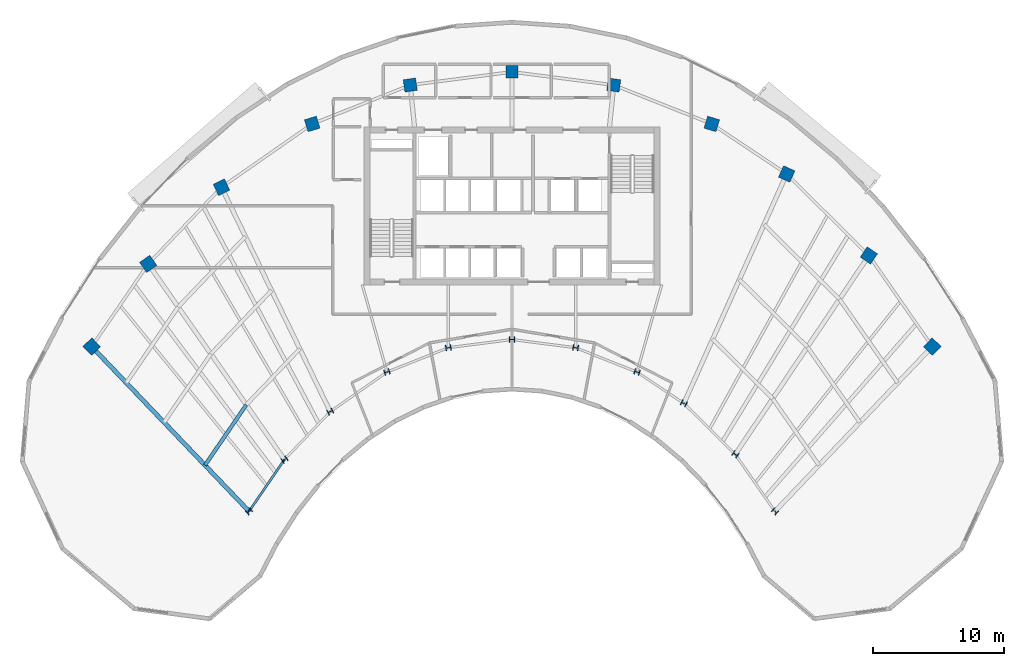
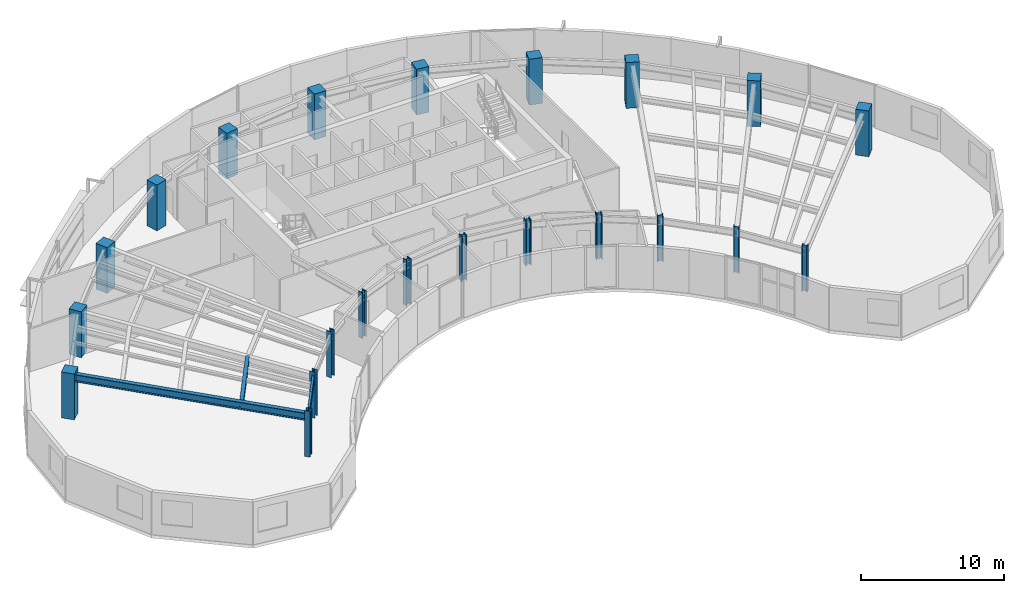
# One storey, part 1 of 13: 22 columns, 3 beams.
"""IFC4 building model written with IfcOpenShell, lengths in metres."""

from ifc_helpers import new_model, si_unit, direction, frame, origin, origin_2d, place, context, subcontext, project, spatial, rectangle, i_section, extrude, source, transform, mapped, material, material_profile, profile_set, type_object, type_shapes, element, save


model = new_model("IFC4")

# Units and contexts
model_context = context("Model", 3, precision=1e-05, world=origin(), true_north=direction((0.0, 1.0)))
body_context = subcontext(model_context, "Body", "Model", "MODEL_VIEW")
ifc_project = project(units=[si_unit("LENGTHUNIT", "METRE"), si_unit("AREAUNIT", "SQUARE_METRE"), si_unit("VOLUMEUNIT", "CUBIC_METRE"), si_unit("PLANEANGLEUNIT", "RADIAN"), si_unit("MASSUNIT", "GRAM", prefix="KILO")], contexts=[model_context])

# Site, building, storey
site_placement = place(None, origin())
site = spatial("IfcSite", under=ifc_project, at=site_placement, CompositionType="ELEMENT")
building_placement = place(site_placement, origin())
building = spatial("IfcBuilding", under=site, at=building_placement, Name="Breltana Convention Tower", CompositionType="ELEMENT")
storey_placement = place(building_placement, frame((0.0, 0.0, 204.0)))
storey = spatial("IfcBuildingStorey", under=building, at=storey_placement, Name="L49", CompositionType="ELEMENT", Elevation=204.0)

# Columns
ifc_material_1 = material(Name="Steel ASTM A992 Grade 50", Category="steel")
ifc_material_profile_1 = material_profile(ifc_material_1, i_section(OverallWidth=0.406005859375, OverallDepth=0.416015625, WebThickness=0.02978515625, FlangeThickness=0.048095703125, at=origin_2d()), Name="W14X257")
ifc_profile_set_1 = profile_set([ifc_material_profile_1], Name="Steel ASTM A992 Grade 50")
column_type_1 = type_object("IfcColumnType", Name="COL-STL-W14X257", PredefinedType="COLUMN", material=ifc_profile_set_1)
shared_shape_1 = source(origin(), body_context, "Body", "SweptSolid", [
    extrude(i_section(OverallWidth=0.406005859375, OverallDepth=0.416015625, WebThickness=0.02978515625, FlangeThickness=0.048095703125, at=origin_2d()), origin(), (0.0, 0.0, 1.0), 3.89990234375),
])
for number, where, z_axis, x_axis, name in (
    (1, (27.984619140625, 42.95458984375, 0.0), (0.0, 0.0, 1.0), (-0.690756218984, 0.723087716626, 0.0), "L49 Tower Column R01-IN"),
    (2, (30.67724609375, 46.892333984375, 0.0), (0.0, 0.0, 1.0), (-0.571143442153, 0.820850271661, 0.0), "L49 Tower Column R02-IN"),
    (3, (34.166259765625, 50.544921875, 0.0), (0.0, 0.0, 1.0), (-0.436173672171, 0.899862504889, 0.0), "L49 Tower Column R03-IN"),
    (4, (38.485107421875, 53.5576171875, 0.0), (0.0, 0.0, 1.0), (-0.288697611798, 0.957420330337, 0.0), "L49 Tower Column R04-IN"),
    (5, (43.153564453125, 55.41064453125, 0.0), (0.0, 0.0, 1.0), (-0.143492621991, 0.98965138682, 0.0), "L49 Tower Column R05-IN"),
    (6, (48.0, 56.035888671875, 0.0), (0.0, 0.0, 1.0), (0.0, 1.0, 0.0), "L49 Tower Column R06-IN"),
    (7, (52.846435546875, 55.41064453125, 0.0), (0.0, 0.0, 1.0), (0.143492621991, 0.98965138682, 0.0), "L49 Tower Column R07-IN"),
    (8, (57.514892578125, 53.5576171875, 0.0), (0.0, 0.0, 1.0), (0.288697611798, 0.957420330337, 0.0), "L49 Tower Column R08-IN"),
    (9, (61.08203125, 51.174560546875, 0.0), (0.0, 0.0, 1.0), (0.409126902895, 0.912477494148, 0.0), "L49 Tower Column R09-IN"),
    (10, (64.995849609375, 47.293701171875, 0.0), (0.0, 0.0, 1.0), (0.55774510898, 0.830012285095, 0.0), "L49 Tower Column R10-IN"),
    (11, (68.015380859375, 42.95458984375, 0.0), (0.0, 0.0, 1.0), (0.690756218984, 0.723087716626, 0.0), "L49 Tower Column R11-IN"),
):
    element("IfcColumn", number, at=place(storey_placement, frame(where, z_axis=z_axis, x_axis=x_axis)), inside=storey, type_object=column_type_1, Name=name, PredefinedType="COLUMN", context=body_context, shape_type="MappedRepresentation", body=[
        mapped(shared_shape_1, transform((0.0, 0.0, 0.0), scale=1.0)),
    ])
ifc_material_2 = material(Name="Concrete C50/60", Category="concrete")
ifc_material_profile_2 = material_profile(ifc_material_2, rectangle(XDim=0.949951171875, YDim=0.949951171875, at=origin_2d()), Name="RC-COL-950X950")
ifc_profile_set_2 = profile_set([ifc_material_profile_2], Name="Concrete C50/60")
column_type_2 = type_object("IfcColumnType", Name="COL-RC-950", PredefinedType="COLUMN", material=ifc_profile_set_2)
shared_shape_2 = source(origin(), body_context, "Body", "SweptSolid", [
    extrude(rectangle(XDim=0.949951171875, YDim=0.949951171875, at=origin_2d()), origin(), (0.0, 0.0, 1.0), 3.89990234375),
])
for number, where, z_axis, x_axis, name in (
    (12, (16.0068359375, 55.494384765625, 0.0), (0.0, 0.0, 1.0), (-0.690756218984, 0.723087716626, 0.0), "L49 Tower Column R01-OUT"),
    (13, (20.310791015625, 61.78857421875, 0.0), (0.0, 0.0, 1.0), (-0.571143442153, 0.820850271661, 0.0), "L49 Tower Column R02-OUT"),
    (14, (25.8876953125, 67.626953125, 0.0), (0.0, 0.0, 1.0), (-0.436173672171, 0.899862504889, 0.0), "L49 Tower Column R03-OUT"),
    (15, (32.791015625, 72.4423828125, 0.0), (0.0, 0.0, 1.0), (-0.288697611798, 0.957420330337, 0.0), "L49 Tower Column R04-OUT"),
    (16, (40.253173828125, 75.404296875, 0.0), (0.0, 0.0, 1.0), (-0.143492621991, 0.98965138682, 0.0), "L49 Tower Column R05-OUT"),
    (17, (48.0, 76.404052734375, 0.0), (0.0, 0.0, 1.0), (0.0, 1.0, 0.0), "L49 Tower Column R06-OUT"),
    (18, (55.746826171875, 75.404296875, 0.0), (0.0, 0.0, 1.0), (0.143492621991, 0.98965138682, 0.0), "L49 Tower Column R07-OUT"),
    (19, (63.208984375, 72.4423828125, 0.0), (0.0, 0.0, 1.0), (0.288697611798, 0.957420330337, 0.0), "L49 Tower Column R08-OUT"),
    (20, (68.910400390625, 68.63330078125, 0.0), (0.0, 0.0, 1.0), (0.409126902895, 0.912477494148, 0.0), "L49 Tower Column R09-OUT"),
    (21, (75.166748046875, 62.43017578125, 0.0), (0.0, 0.0, 1.0), (0.55774510898, 0.830012285095, 0.0), "L49 Tower Column R10-OUT"),
    (22, (79.9931640625, 55.494384765625, 0.0), (0.0, 0.0, 1.0), (0.690756218984, 0.723087716626, 0.0), "L49 Tower Column R11-OUT"),
):
    element("IfcColumn", number, at=place(storey_placement, frame(where, z_axis=z_axis, x_axis=x_axis)), inside=storey, type_object=column_type_2, Name=name, PredefinedType="COLUMN", context=body_context, shape_type="MappedRepresentation", body=[
        mapped(shared_shape_2, transform((0.0, 0.0, 0.0), scale=1.0)),
    ])

# Beams
ifc_material_profile_3 = material_profile(ifc_material_1, i_section(OverallWidth=0.280029296875, OverallDepth=0.462890625, WebThickness=0.0107421875, FlangeThickness=0.017333984375, at=origin_2d()), Name="W18X76")
ifc_profile_set_3 = profile_set([ifc_material_profile_3], Name="Steel ASTM A992 Grade 50")
beam_type_1 = type_object("IfcBeamType", Name="BM-JSG-06", PredefinedType="JOIST", material=ifc_profile_set_3)
shared_shape_3 = source(origin(), body_context, "Body", "SweptSolid", [
    extrude(i_section(OverallWidth=0.280029296875, OverallDepth=0.462890625, WebThickness=0.0107421875, FlangeThickness=0.017333984375, at=origin_2d()), origin(), (0.0, 0.0, 1.0), 5.569580078125),
])
type_shapes(beam_type_1, [shared_shape_3])
beam_1_placement = place(storey_placement, frame((24.630615234375, 46.4658203125, 3.408447265625), z_axis=(0.564493760458, 0.825437335237, 0.0), x_axis=(-0.825437335237, 0.564493760458, 0.0)))
element("IfcBeam", 23, at=beam_1_placement, inside=storey, type_object=beam_type_1, Name="L49 Composite Floor Joist 01.1", PredefinedType="JOIST", context=body_context, shape_type="MappedRepresentation", body=[
    mapped(shared_shape_3, transform((0.0, 0.0, 0.0), scale=1.0)),
])
ifc_material_profile_4 = material_profile(ifc_material_1, i_section(OverallWidth=0.166015625, OverallDepth=0.534912109375, WebThickness=0.01025390625, FlangeThickness=0.0166015625, at=origin_2d()), Name="W21X57")
ifc_profile_set_4 = profile_set([ifc_material_profile_4], Name="Steel ASTM A992 Grade 50")
beam_type_2 = type_object("IfcBeamType", Name="BM-BM-W21X57", PredefinedType="BEAM", material=ifc_profile_set_4)
shared_shape_4 = source(origin(), body_context, "Body", "SweptSolid", [
    extrude(i_section(OverallWidth=0.166015625, OverallDepth=0.534912109375, WebThickness=0.01025390625, FlangeThickness=0.0166015625, at=origin_2d()), origin(), (0.0, 0.0, 1.0), 4.770263671875),
])
beam_2_placement = place(storey_placement, frame((27.984619140625, 42.95458984375, 3.37255859375), z_axis=(0.564452719055, 0.82546540082, 0.0), x_axis=(-0.82546540082, 0.564452719055, 0.0)))
element("IfcBeam", 24, at=beam_2_placement, inside=storey, type_object=beam_type_2, Name="L49 Inner Ring Beam 01", PredefinedType="BEAM", context=body_context, shape_type="MappedRepresentation", body=[
    mapped(shared_shape_4, transform((0.0, 0.0, 0.0), scale=1.0)),
])
ifc_material_profile_5 = material_profile(ifc_material_1, i_section(OverallWidth=0.326904296875, OverallDepth=0.6220703125, WebThickness=0.015380859375, FlangeThickness=0.0244140625, at=origin_2d()), Name="W24X131")
ifc_profile_set_5 = profile_set([ifc_material_profile_5], Name="Steel ASTM A992 Grade 50")
beam_type_3 = type_object("IfcBeamType", Name="BM-RG-W24X131", PredefinedType="USERDEFINED", material=ifc_profile_set_5)
shared_shape_5 = source(origin(), body_context, "Body", "SweptSolid", [
    extrude(i_section(OverallWidth=0.326904296875, OverallDepth=0.6220703125, WebThickness=0.015380859375, FlangeThickness=0.0244140625, at=origin_2d()), origin(), (0.0, 0.0, 1.0), 17.341064453125),
])
type_shapes(beam_type_3, [shared_shape_5])
beam_3_placement = place(storey_placement, frame((27.984619140625, 42.95458984375, 3.3291015625), z_axis=(-0.690716462293, 0.723125693581, 0.0), x_axis=(-0.723125693581, -0.690716462293, 0.0)))
element("IfcBeam", 25, at=beam_3_placement, inside=storey, type_object=beam_type_3, Name="L49 Radial Floor Girder R01", ObjectType="GIRDER", PredefinedType="USERDEFINED", context=body_context, shape_type="MappedRepresentation", body=[
    mapped(shared_shape_5, transform((0.0, 0.0, 0.0), scale=1.0)),
])

save(model, "model.ifc")
